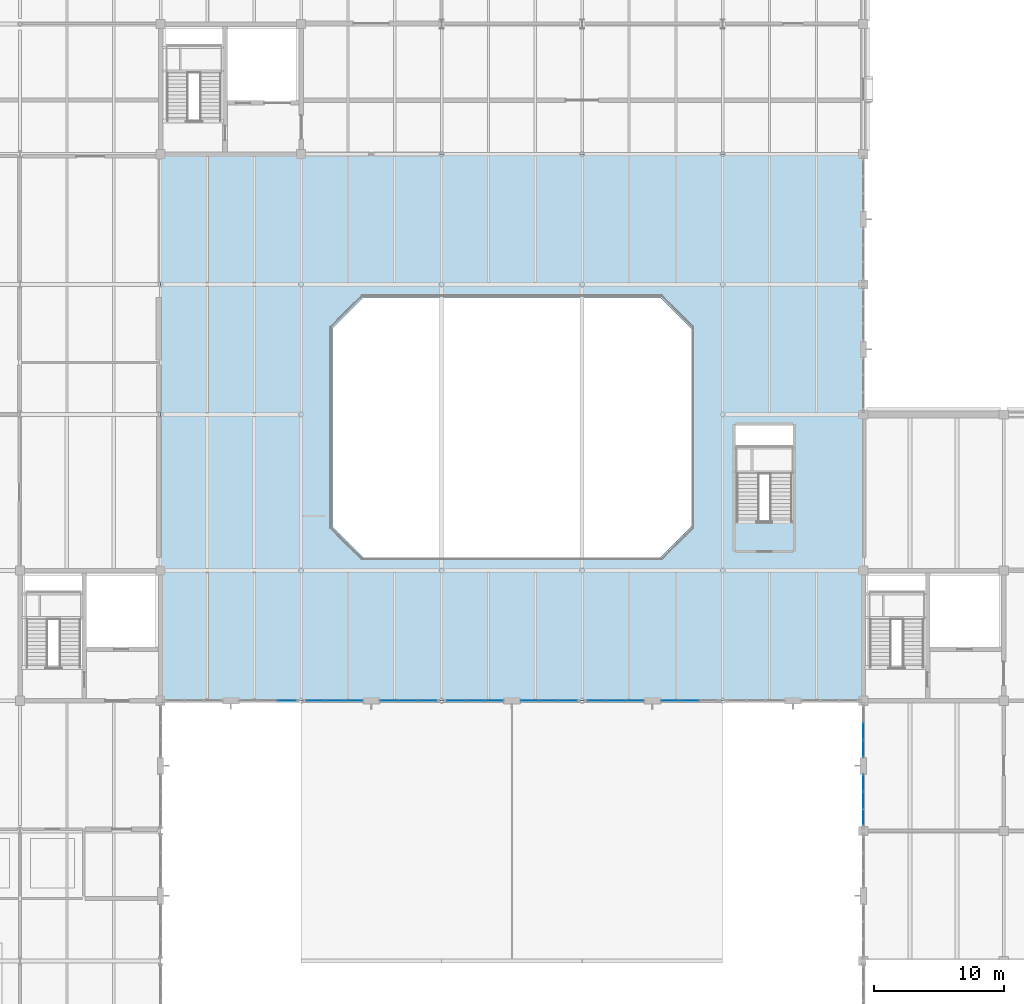
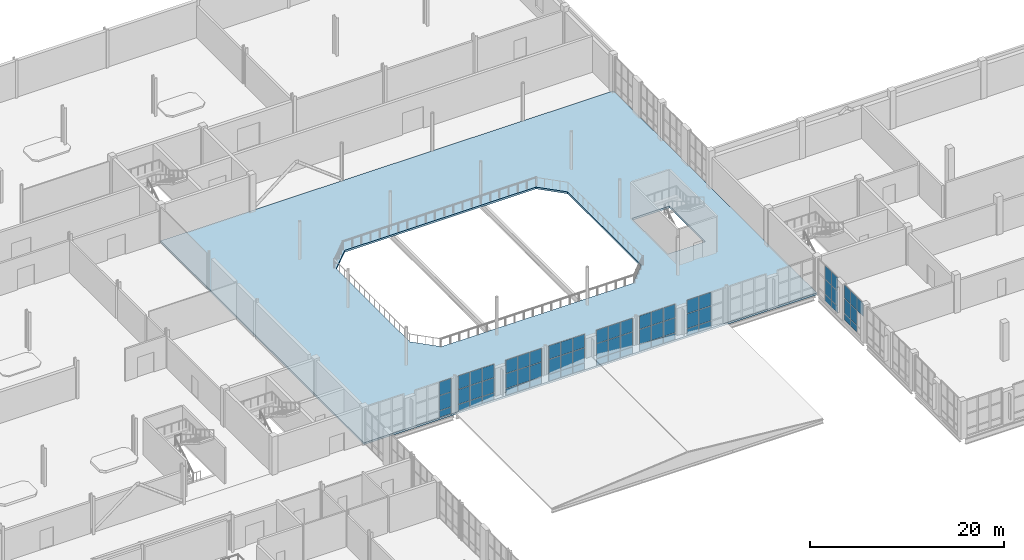
# One storey, part 59 of 92: 67 plates, 1 slab, 9 elements without a shape of their own.
"""IFC4 building model written with IfcOpenShell, lengths in metres."""

import ifcopenshell
import ifcopenshell.guid

model = None  # the IFC model being written
_history = None  # IfcOwnerHistory: only IFC2X3 demands one
_inside = {}  # id of a spatial element -> (the spatial element, [elements in it])
_under = {}  # id of a project, library or spatial element -> (it, [spatial elements below it])
_declared = {}  # id of a project -> (the project, [libraries it declares])
_typed = {}  # id of a type object -> (the type object, [elements of that type])
_made_of = {}  # id of a material, layer set ... -> (it, [elements and type objects made of it])


def new_model(schema):
    """Start an empty IFC model of exactly this schema.

    Asked for "IFC4X3", IfcOpenShell would pick the latest addendum, in which some entities
    have other attributes; the version numbers below select the first issue.
    IFC2X3 requires an IfcOwnerHistory on every rooted entity: one is made here for all.
    """
    global model, _history
    if schema == "IFC4X3":
        model = ifcopenshell.file(schema_version=(4, 3, 0, 0))
    else:
        model = ifcopenshell.file(schema=schema)
    _inside.clear()
    _under.clear()
    _declared.clear()
    _typed.clear()
    _made_of.clear()
    _history = None
    if model.schema == "IFC2X3":
        org = make("IfcOrganization", Name="unknown")
        user = make(
            "IfcPersonAndOrganization",
            ThePerson=make("IfcPerson", FamilyName="unknown"),
            TheOrganization=org,
        )
        app = make(
            "IfcApplication",
            ApplicationDeveloper=org,
            Version="unknown",
            ApplicationFullName="unknown",
            ApplicationIdentifier="unknown",
        )
        _history = make(
            "IfcOwnerHistory",
            OwningUser=user,
            OwningApplication=app,
            ChangeAction="ADDED",
            CreationDate=0,
        )
    return model


def make(cls, **values):
    """One entity of the class cls with the attributes given. An attribute that is None is left unset."""
    return model.create_entity(
        cls, **{name: value for name, value in values.items() if value is not None}
    )


def rooted(cls, **values):
    """An entity with a GlobalId (a new one), such as an element, a storey or a relation."""
    return make(cls, GlobalId=ifcopenshell.guid.new(), OwnerHistory=_history, **values)


def si_unit(unit_type, name, prefix=None):
    """IfcSIUnit, for example si_unit("LENGTHUNIT", "METRE", prefix="MILLI")."""
    return make("IfcSIUnit", UnitType=unit_type, Prefix=prefix, Name=name)


def assignment(units):
    """IfcUnitAssignment: the units of a project."""
    return None if units is None else make("IfcUnitAssignment", Units=units)


def point(xyz):
    """IfcCartesianPoint."""
    return None if xyz is None else make("IfcCartesianPoint", Coordinates=xyz)


def direction(xyz):
    """IfcDirection."""
    return None if xyz is None else make("IfcDirection", DirectionRatios=xyz)


def frame(location, z_axis=None, x_axis=None):
    """IfcAxis2Placement3D, a coordinate frame: its origin and axes. An axis left out is left unset."""
    return make(
        "IfcAxis2Placement3D",
        Location=point(location),
        Axis=direction(z_axis),
        RefDirection=direction(x_axis),
    )


def frame_2d(location, x_axis=None):
    """IfcAxis2Placement2D, a coordinate frame in the plane: its origin and x axis."""
    return make(
        "IfcAxis2Placement2D", Location=point(location), RefDirection=direction(x_axis)
    )


def origin():
    """The frame at (0, 0, 0) with its axes left unset."""
    return frame((0.0, 0.0, 0.0))


def origin_2d():
    """The frame at (0, 0) in the plane with its x axis left unset."""
    return frame_2d((0.0, 0.0))


def place(relative_to, where):
    """IfcLocalPlacement: puts the frame where relative to a parent placement (None: the world)."""
    return make(
        "IfcLocalPlacement", PlacementRelTo=relative_to, RelativePlacement=where
    )


def context(
    kind, dimensions, precision=None, world=None, true_north=None, identifier=None
):
    """IfcGeometricRepresentationContext, for example the 3D "Model" context."""
    return make(
        "IfcGeometricRepresentationContext",
        ContextIdentifier=identifier,
        ContextType=kind,
        CoordinateSpaceDimension=dimensions,
        Precision=precision,
        WorldCoordinateSystem=world,
        TrueNorth=true_north,
    )


def subcontext(parent, identifier, kind, view, scale=None):
    """IfcGeometricRepresentationSubContext, for example "Body" below "Model"."""
    return make(
        "IfcGeometricRepresentationSubContext",
        ContextIdentifier=identifier,
        ContextType=kind,
        ParentContext=parent,
        TargetScale=scale,
        TargetView=view,
    )


def project(units=None, contexts=None):
    """IfcProject with its units and contexts."""
    return rooted(
        "IfcProject",
        Name="project",
        RepresentationContexts=contexts,
        UnitsInContext=assignment(units),
    )


def spatial(cls, under=None, at=None, **own):
    """A site, building, storey or space (cls), placed at a placement, below another one or the project."""
    s = rooted(cls, ObjectPlacement=at, **own)
    if under is not None:
        _under.setdefault(under.id(), (under, []))[1].append(s)
    return s


def polyline(points):
    """IfcPolyline through the points."""
    return make("IfcPolyline", Points=[point(p) for p in points])


def profile(cls, at=None, kind="AREA", **sizes):
    """A parametric profile (cls). Its sizes go by their IFC names, for example OverallWidth=200.0."""
    return make(cls, ProfileType=kind, Position=at, **sizes)


def rectangle(**sizes):
    """IfcRectangleProfileDef."""
    return profile("IfcRectangleProfileDef", **sizes)


def outline(outer, holes=None, kind="AREA"):
    """IfcArbitraryClosedProfileDef: a profile drawn as a closed curve; with holes, ...WithVoids."""
    if holes is None:
        return make("IfcArbitraryClosedProfileDef", ProfileType=kind, OuterCurve=outer)
    return make(
        "IfcArbitraryProfileDefWithVoids",
        ProfileType=kind,
        OuterCurve=outer,
        InnerCurves=holes,
    )


def extrude(swept, where, along, depth):
    """IfcExtrudedAreaSolid: the profile swept, set in the frame where, extruded along a direction by depth."""
    return make(
        "IfcExtrudedAreaSolid",
        SweptArea=swept,
        Position=where,
        ExtrudedDirection=direction(along),
        Depth=depth,
    )


def shape(context_of_items, identifier, shape_type, items):
    """IfcShapeRepresentation: the items that make up one representation, for example the "Body"."""
    return make(
        "IfcShapeRepresentation",
        ContextOfItems=context_of_items,
        RepresentationIdentifier=identifier,
        RepresentationType=shape_type,
        Items=items,
    )


def material(Name=None, Category=None):
    """IfcMaterial."""
    return make("IfcMaterial", Name=Name, Category=Category)


def layer(
    of_material, thickness, ventilated=None, Name=None, Category=None, Priority=None
):
    """IfcMaterialLayer: one layer of a wall or slab, of a material (None: an air gap)."""
    return make(
        "IfcMaterialLayer",
        Material=of_material,
        LayerThickness=thickness,
        IsVentilated=ventilated,
        Name=Name,
        Category=Category,
        Priority=Priority,
    )


def layer_set(layers, Name=None):
    """IfcMaterialLayerSet."""
    return make("IfcMaterialLayerSet", MaterialLayers=layers, LayerSetName=Name)


def made_of(thing, what):
    """Note that an element or type object is made of a material, layer set ...; save() writes the relation."""
    if what is not None:
        _made_of.setdefault(what.id(), (what, []))[1].append(thing)
    return thing


def type_object(cls, material=None, **own):
    """A type object (cls), such as IfcWallType, which elements share."""
    return made_of(rooted(cls, **own), material)


def element(
    cls,
    number,
    at=None,
    inside=None,
    cuts=None,
    type_object=None,
    material=None,
    context=None,
    identifier="Body",
    shape_type=None,
    held_by="IfcProductDefinitionShape",
    body=None,
    shapes=None,
    **own,
):
    """One element of the class cls, such as IfcWall. Its Tag is "e" and its number.

    at: its placement. inside: the storey or other place that contains it. cuts: it is an
    opening in that element (IfcRelVoidsElement). A single representation is given by context,
    identifier, shape_type and body (its items); several are given by shapes. held_by: the class
    of the entity that holds the representations. save() writes the other relations.
    """
    e = rooted(cls, Tag="e%d" % number, ObjectPlacement=at, **own)
    if body is not None:
        shapes = [shape(context, identifier, shape_type, body)]
    if shapes is not None:
        e.Representation = make(held_by, Representations=shapes)
    if inside is not None:
        _inside.setdefault(inside.id(), (inside, []))[1].append(e)
    if cuts is not None:
        rooted(
            "IfcRelVoidsElement", RelatingBuildingElement=cuts, RelatedOpeningElement=e
        )
    if type_object is not None:
        _typed.setdefault(type_object.id(), (type_object, []))[1].append(e)
    return made_of(e, material)


def aggregate(whole, parts):
    """IfcRelAggregates: a whole, such as a stair, and the parts it consists of."""
    return rooted("IfcRelAggregates", RelatingObject=whole, RelatedObjects=parts)


def save(model, path):
    """Write the relations noted so far, then the file.

    IfcRelAggregates (storeys below a building ...), IfcRelContainedInSpatialStructure (elements
    in a storey), IfcRelDefinesByType, IfcRelAssociatesMaterial and IfcRelDeclares: one each for
    every whole, place, type object, material and project.
    """
    for whole, parts in _under.values():
        aggregate(whole, parts)
    for where, things in _inside.values():
        rooted(
            "IfcRelContainedInSpatialStructure",
            RelatedElements=things,
            RelatingStructure=where,
        )
    for kind, things in _typed.values():
        rooted("IfcRelDefinesByType", RelatedObjects=things, RelatingType=kind)
    for what, things in _made_of.values():
        rooted("IfcRelAssociatesMaterial", RelatedObjects=things, RelatingMaterial=what)
    for by, libraries in _declared.values():
        rooted("IfcRelDeclares", RelatingContext=by, RelatedDefinitions=libraries)
    model.write(path)


model = new_model("IFC4")

# Units and contexts
model_context = context("Model", 3, precision=1e-05, world=origin(), true_north=direction((0.0, 1.0)))
body_context = subcontext(model_context, "Body", "Model", "MODEL_VIEW")
ifc_project = project(units=[si_unit("LENGTHUNIT", "METRE"), si_unit("AREAUNIT", "SQUARE_METRE"), si_unit("VOLUMEUNIT", "CUBIC_METRE"), si_unit("PLANEANGLEUNIT", "RADIAN"), si_unit("MASSUNIT", "GRAM", prefix="KILO")], contexts=[model_context])

# Site, building, storey
site_placement = place(None, origin())
site = spatial("IfcSite", under=ifc_project, at=site_placement, CompositionType="ELEMENT")
building_placement = place(site_placement, origin())
building = spatial("IfcBuilding", under=site, at=building_placement, Name="Tasgan Crest Museum", CompositionType="ELEMENT")
storey_placement = place(building_placement, frame((0.0, 0.0, 4.800048828125)))
storey = spatial("IfcBuildingStorey", under=building, at=storey_placement, Name="L01", CompositionType="ELEMENT", Elevation=4.800048828125)

# Curtain wall, plate
ifc_material_1 = material(Name="Triple-Glazed Aluminium Curtain Wall", Category="aluminium")
ifc_layer_1 = layer(ifc_material_1, 0.179931640625, Name="CW-DRUM-X-48")
ifc_layer_set_1 = layer_set([ifc_layer_1], Name="Triple-Glazed Aluminium Curtain Wall")
curtain_wall_type_1 = type_object("IfcCurtainWallType", Name="CW-DRUM-X-48", PredefinedType="NOTDEFINED", material=ifc_layer_set_1)
curtain_wall_1_placement = place(storey_placement, origin())
curtain_wall_1 = element("IfcCurtainWall", 1, at=curtain_wall_1_placement, inside=storey, type_object=curtain_wall_type_1, Name="Curtain wall L01 028", PredefinedType="NOTDEFINED")
ifc_material_2 = material(Name="Insulated Spandrel Glass", Category="glass")
ifc_layer_2 = layer(ifc_material_2, 0.052001953125, Name="CW-PANEL-SPANDREL")
ifc_layer_set_2 = layer_set([ifc_layer_2], Name="Insulated Spandrel Glass")
plate_type_1 = type_object("IfcPlateType", Name="CW-PANEL-SPANDREL", PredefinedType="CURTAIN_PANEL", material=ifc_layer_set_2)
plate_1_placement = place(storey_placement, frame((63.688232421875, 40.0, 0.059814453125), z_axis=(0.0, 0.0, 1.0), x_axis=(1.0, 0.0, 0.0)))
plate_1 = element("IfcPlate", 2, at=plate_1_placement, type_object=plate_type_1, Name="CW03 panel 3.1", PredefinedType="CURTAIN_PANEL", context=body_context, shape_type="SweptSolid", body=[
    extrude(rectangle(XDim=1.373291015625, YDim=0.028076171875, at=origin_2d()), origin(), (0.0, 0.0, 1.0), 0.81005859375),
])

# Curtain wall, plates
curtain_wall_2_placement = place(storey_placement, origin())
curtain_wall_2 = element("IfcCurtainWall", 3, at=curtain_wall_2_placement, inside=storey, type_object=curtain_wall_type_1, Name="Curtain wall L01 029", PredefinedType="NOTDEFINED")
plate_2_placement = place(storey_placement, frame((65.91162109375, 40.0, 0.059814453125), z_axis=(0.0, 0.0, 1.0), x_axis=(1.0, 0.0, 0.0)))
plate_2 = element("IfcPlate", 4, at=plate_2_placement, type_object=plate_type_1, Name="CW03 panel 1.1", PredefinedType="CURTAIN_PANEL", context=body_context, shape_type="SweptSolid", body=[
    extrude(rectangle(XDim=1.373291015625, YDim=0.028076171875, at=origin_2d()), origin(), (0.0, 0.0, 1.0), 0.81005859375),
])
plate_3_placement = place(storey_placement, frame((67.360107421875, 40.0, 0.059814453125), z_axis=(0.0, 0.0, 1.0), x_axis=(1.0, 0.0, 0.0)))
plate_3 = element("IfcPlate", 5, at=plate_3_placement, type_object=plate_type_1, Name="CW03 panel 2.1", PredefinedType="CURTAIN_PANEL", context=body_context, shape_type="SweptSolid", body=[
    extrude(rectangle(XDim=1.4033203125, YDim=0.028076171875, at=origin_2d()), origin(), (0.0, 0.0, 1.0), 0.81005859375),
])
plate_4_placement = place(storey_placement, frame((68.808349609375, 40.0, 0.059814453125), z_axis=(0.0, 0.0, 1.0), x_axis=(1.0, 0.0, 0.0)))
plate_4 = element("IfcPlate", 6, at=plate_4_placement, type_object=plate_type_1, Name="CW03 panel 3.1", PredefinedType="CURTAIN_PANEL", context=body_context, shape_type="SweptSolid", body=[
    extrude(rectangle(XDim=1.373291015625, YDim=0.028076171875, at=origin_2d()), origin(), (0.0, 0.0, 1.0), 0.81005859375),
])

curtain_wall_3_placement = place(storey_placement, origin())
curtain_wall_3 = element("IfcCurtainWall", 7, at=curtain_wall_3_placement, inside=storey, type_object=curtain_wall_type_1, Name="Curtain wall L01 030", PredefinedType="NOTDEFINED")
plate_5_placement = place(storey_placement, frame((71.591552734375, 40.0, 0.059814453125), z_axis=(0.0, 0.0, 1.0), x_axis=(1.0, 0.0, 0.0)))
plate_5 = element("IfcPlate", 8, at=plate_5_placement, type_object=plate_type_1, Name="CW03 panel 1.1", PredefinedType="CURTAIN_PANEL", context=body_context, shape_type="SweptSolid", body=[
    extrude(rectangle(XDim=1.373291015625, YDim=0.028076171875, at=origin_2d()), origin(), (0.0, 0.0, 1.0), 0.81005859375),
])
plate_6_placement = place(storey_placement, frame((73.0400390625, 40.0, 0.059814453125), z_axis=(0.0, 0.0, 1.0), x_axis=(1.0, 0.0, 0.0)))
plate_6 = element("IfcPlate", 9, at=plate_6_placement, type_object=plate_type_1, Name="CW03 panel 2.1", PredefinedType="CURTAIN_PANEL", context=body_context, shape_type="SweptSolid", body=[
    extrude(rectangle(XDim=1.4033203125, YDim=0.028076171875, at=origin_2d()), origin(), (0.0, 0.0, 1.0), 0.81005859375),
])
plate_7_placement = place(storey_placement, frame((74.48828125, 40.0, 0.059814453125), z_axis=(0.0, 0.0, 1.0), x_axis=(1.0, 0.0, 0.0)))
plate_7 = element("IfcPlate", 10, at=plate_7_placement, type_object=plate_type_1, Name="CW03 panel 3.1", PredefinedType="CURTAIN_PANEL", context=body_context, shape_type="SweptSolid", body=[
    extrude(rectangle(XDim=1.373291015625, YDim=0.028076171875, at=origin_2d()), origin(), (0.0, 0.0, 1.0), 0.81005859375),
])

curtain_wall_4_placement = place(storey_placement, origin())
curtain_wall_4 = element("IfcCurtainWall", 11, at=curtain_wall_4_placement, inside=storey, type_object=curtain_wall_type_1, Name="Curtain wall L01 031", PredefinedType="NOTDEFINED")
plate_8_placement = place(storey_placement, frame((76.711669921875, 40.0, 0.059814453125), z_axis=(0.0, 0.0, 1.0), x_axis=(1.0, 0.0, 0.0)))
plate_8 = element("IfcPlate", 12, at=plate_8_placement, type_object=plate_type_1, Name="CW03 panel 1.1", PredefinedType="CURTAIN_PANEL", context=body_context, shape_type="SweptSolid", body=[
    extrude(rectangle(XDim=1.373291015625, YDim=0.028076171875, at=origin_2d()), origin(), (0.0, 0.0, 1.0), 0.81005859375),
])
plate_9_placement = place(storey_placement, frame((78.159912109375, 40.0, 0.059814453125), z_axis=(0.0, 0.0, 1.0), x_axis=(1.0, 0.0, 0.0)))
plate_9 = element("IfcPlate", 13, at=plate_9_placement, type_object=plate_type_1, Name="CW03 panel 2.1", PredefinedType="CURTAIN_PANEL", context=body_context, shape_type="SweptSolid", body=[
    extrude(rectangle(XDim=1.4033203125, YDim=0.028076171875, at=origin_2d()), origin(), (0.0, 0.0, 1.0), 0.81005859375),
])
plate_10_placement = place(storey_placement, frame((79.6083984375, 40.0, 0.059814453125), z_axis=(0.0, 0.0, 1.0), x_axis=(1.0, 0.0, 0.0)))
plate_10 = element("IfcPlate", 14, at=plate_10_placement, type_object=plate_type_1, Name="CW03 panel 3.1", PredefinedType="CURTAIN_PANEL", context=body_context, shape_type="SweptSolid", body=[
    extrude(rectangle(XDim=1.373291015625, YDim=0.028076171875, at=origin_2d()), origin(), (0.0, 0.0, 1.0), 0.81005859375),
])

curtain_wall_5_placement = place(storey_placement, origin())
curtain_wall_5 = element("IfcCurtainWall", 15, at=curtain_wall_5_placement, inside=storey, type_object=curtain_wall_type_1, Name="Curtain wall L01 032", PredefinedType="NOTDEFINED")
plate_11_placement = place(storey_placement, frame((82.3916015625, 40.0, 0.059814453125), z_axis=(0.0, 0.0, 1.0), x_axis=(1.0, 0.0, 0.0)))
plate_11 = element("IfcPlate", 16, at=plate_11_placement, type_object=plate_type_1, Name="CW03 panel 1.1", PredefinedType="CURTAIN_PANEL", context=body_context, shape_type="SweptSolid", body=[
    extrude(rectangle(XDim=1.373291015625, YDim=0.028076171875, at=origin_2d()), origin(), (0.0, 0.0, 1.0), 0.81005859375),
])
plate_12_placement = place(storey_placement, frame((83.840087890625, 40.0, 0.059814453125), z_axis=(0.0, 0.0, 1.0), x_axis=(1.0, 0.0, 0.0)))
plate_12 = element("IfcPlate", 17, at=plate_12_placement, type_object=plate_type_1, Name="CW03 panel 2.1", PredefinedType="CURTAIN_PANEL", context=body_context, shape_type="SweptSolid", body=[
    extrude(rectangle(XDim=1.4033203125, YDim=0.028076171875, at=origin_2d()), origin(), (0.0, 0.0, 1.0), 0.81005859375),
])
plate_13_placement = place(storey_placement, frame((85.288330078125, 40.0, 0.059814453125), z_axis=(0.0, 0.0, 1.0), x_axis=(1.0, 0.0, 0.0)))
plate_13 = element("IfcPlate", 18, at=plate_13_placement, type_object=plate_type_1, Name="CW03 panel 3.1", PredefinedType="CURTAIN_PANEL", context=body_context, shape_type="SweptSolid", body=[
    extrude(rectangle(XDim=1.373291015625, YDim=0.028076171875, at=origin_2d()), origin(), (0.0, 0.0, 1.0), 0.81005859375),
])

curtain_wall_6_placement = place(storey_placement, origin())
curtain_wall_6 = element("IfcCurtainWall", 19, at=curtain_wall_6_placement, inside=storey, type_object=curtain_wall_type_1, Name="Curtain wall L01 033", PredefinedType="NOTDEFINED")
plate_14_placement = place(storey_placement, frame((87.51171875, 40.0, 0.059814453125), z_axis=(0.0, 0.0, 1.0), x_axis=(1.0, 0.0, 0.0)))
plate_14 = element("IfcPlate", 20, at=plate_14_placement, type_object=plate_type_1, Name="CW03 panel 1.1", PredefinedType="CURTAIN_PANEL", context=body_context, shape_type="SweptSolid", body=[
    extrude(rectangle(XDim=1.373291015625, YDim=0.028076171875, at=origin_2d()), origin(), (0.0, 0.0, 1.0), 0.81005859375),
])
plate_15_placement = place(storey_placement, frame((88.9599609375, 40.0, 0.059814453125), z_axis=(0.0, 0.0, 1.0), x_axis=(1.0, 0.0, 0.0)))
plate_15 = element("IfcPlate", 21, at=plate_15_placement, type_object=plate_type_1, Name="CW03 panel 2.1", PredefinedType="CURTAIN_PANEL", context=body_context, shape_type="SweptSolid", body=[
    extrude(rectangle(XDim=1.4033203125, YDim=0.028076171875, at=origin_2d()), origin(), (0.0, 0.0, 1.0), 0.81005859375),
])
plate_16_placement = place(storey_placement, frame((90.408447265625, 40.0, 0.059814453125), z_axis=(0.0, 0.0, 1.0), x_axis=(1.0, 0.0, 0.0)))
plate_16 = element("IfcPlate", 22, at=plate_16_placement, type_object=plate_type_1, Name="CW03 panel 3.1", PredefinedType="CURTAIN_PANEL", context=body_context, shape_type="SweptSolid", body=[
    extrude(rectangle(XDim=1.373291015625, YDim=0.028076171875, at=origin_2d()), origin(), (0.0, 0.0, 1.0), 0.81005859375),
])

curtain_wall_7_placement = place(storey_placement, origin())
curtain_wall_7 = element("IfcCurtainWall", 23, at=curtain_wall_7_placement, inside=storey, type_object=curtain_wall_type_1, Name="Curtain wall L01 034", PredefinedType="NOTDEFINED")
plate_17_placement = place(storey_placement, frame((93.191650390625, 40.0, 0.059814453125), z_axis=(0.0, 0.0, 1.0), x_axis=(1.0, 0.0, 0.0)))
plate_17 = element("IfcPlate", 24, at=plate_17_placement, type_object=plate_type_1, Name="CW03 panel 1.1", PredefinedType="CURTAIN_PANEL", context=body_context, shape_type="SweptSolid", body=[
    extrude(rectangle(XDim=1.373291015625, YDim=0.028076171875, at=origin_2d()), origin(), (0.0, 0.0, 1.0), 0.81005859375),
])
plate_18_placement = place(storey_placement, frame((94.639892578125, 40.0, 0.059814453125), z_axis=(0.0, 0.0, 1.0), x_axis=(1.0, 0.0, 0.0)))
plate_18 = element("IfcPlate", 25, at=plate_18_placement, type_object=plate_type_1, Name="CW03 panel 2.1", PredefinedType="CURTAIN_PANEL", context=body_context, shape_type="SweptSolid", body=[
    extrude(rectangle(XDim=1.4033203125, YDim=0.028076171875, at=origin_2d()), origin(), (0.0, 0.0, 1.0), 0.81005859375),
])

ifc_material_3 = material(Name="Triple-Glazed Aluminium Curtain Wall", Category="aluminium")
ifc_layer_3 = layer(ifc_material_3, 0.179931640625, Name="CW-PORCH-Y")
ifc_layer_set_3 = layer_set([ifc_layer_3], Name="Triple-Glazed Aluminium Curtain Wall")
curtain_wall_type_2 = type_object("IfcCurtainWallType", Name="CW-PORCH-Y", PredefinedType="NOTDEFINED", material=ifc_layer_set_3)
curtain_wall_8_placement = place(storey_placement, origin())
curtain_wall_8 = element("IfcCurtainWall", 26, at=curtain_wall_8_placement, inside=storey, type_object=curtain_wall_type_2, Name="Curtain wall L01 037", PredefinedType="NOTDEFINED")
plate_19_placement = place(storey_placement, frame((108.0, 37.639892578125, 0.059814453125), z_axis=(0.0, 0.0, 1.0), x_axis=(0.0, -1.0, 0.0)))
plate_19 = element("IfcPlate", 27, at=plate_19_placement, type_object=plate_type_1, Name="CW02 panel 2.1", PredefinedType="CURTAIN_PANEL", context=body_context, shape_type="SweptSolid", body=[
    extrude(rectangle(XDim=1.27001953125, YDim=0.028076171875, at=origin_2d()), origin(), (0.0, 0.0, 1.0), 0.81005859375),
])
plate_20_placement = place(storey_placement, frame((108.0, 36.324951171875, 0.059814453125), z_axis=(0.0, 0.0, 1.0), x_axis=(0.0, -1.0, 0.0)))
plate_20 = element("IfcPlate", 28, at=plate_20_placement, type_object=plate_type_1, Name="CW02 panel 3.1", PredefinedType="CURTAIN_PANEL", context=body_context, shape_type="SweptSolid", body=[
    extrude(rectangle(XDim=1.239990234375, YDim=0.028076171875, at=origin_2d()), origin(), (0.0, 0.0, 1.0), 0.81005859375),
])

curtain_wall_9_placement = place(storey_placement, origin())
curtain_wall_9 = element("IfcCurtainWall", 29, at=curtain_wall_9_placement, inside=storey, type_object=curtain_wall_type_2, Name="Curtain wall L01 038", PredefinedType="NOTDEFINED")
plate_21_placement = place(storey_placement, frame((108.0, 33.675048828125, 0.059814453125), z_axis=(0.0, 0.0, 1.0), x_axis=(0.0, -1.0, 0.0)))
plate_21 = element("IfcPlate", 30, at=plate_21_placement, type_object=plate_type_1, Name="CW02 panel 1.1", PredefinedType="CURTAIN_PANEL", context=body_context, shape_type="SweptSolid", body=[
    extrude(rectangle(XDim=1.239990234375, YDim=0.028076171875, at=origin_2d()), origin(), (0.0, 0.0, 1.0), 0.81005859375),
])
plate_22_placement = place(storey_placement, frame((108.0, 32.360107421875, 0.059814453125), z_axis=(0.0, 0.0, 1.0), x_axis=(0.0, -1.0, 0.0)))
plate_22 = element("IfcPlate", 31, at=plate_22_placement, type_object=plate_type_1, Name="CW02 panel 2.1", PredefinedType="CURTAIN_PANEL", context=body_context, shape_type="SweptSolid", body=[
    extrude(rectangle(XDim=1.27001953125, YDim=0.028076171875, at=origin_2d()), origin(), (0.0, 0.0, 1.0), 0.81005859375),
])

# Plate
ifc_material_4 = material(Name="Low-E Triple Glazing", Category="glass")
ifc_layer_4 = layer(ifc_material_4, 0.0439453125, Name="CW-PANEL-TRIPLE")
ifc_layer_set_4 = layer_set([ifc_layer_4], Name="Low-E Triple Glazing")
plate_type_2 = type_object("IfcPlateType", Name="CW-PANEL-TRIPLE", PredefinedType="CURTAIN_PANEL", material=ifc_layer_set_4)
plate_23_placement = place(storey_placement, frame((63.688232421875, 40.0, 0.9296875), z_axis=(0.0, 0.0, 1.0), x_axis=(1.0, 0.0, 0.0)))
plate_23 = element("IfcPlate", 32, at=plate_23_placement, type_object=plate_type_2, Name="CW03 panel 3.2", PredefinedType="CURTAIN_PANEL", context=body_context, shape_type="SweptSolid", body=[
    extrude(rectangle(XDim=1.373291015625, YDim=0.028076171875, at=origin_2d()), origin(), (0.0, 0.0, 1.0), 1.840087890625),
])

plate_24_placement = place(storey_placement, frame((63.688232421875, 40.0, 2.830078125), z_axis=(0.0, 0.0, 1.0), x_axis=(1.0, 0.0, 0.0)))
plate_24 = element("IfcPlate", 33, at=plate_24_placement, type_object=plate_type_2, Name="CW03 panel 3.3", PredefinedType="CURTAIN_PANEL", context=body_context, shape_type="SweptSolid", body=[
    extrude(rectangle(XDim=1.373291015625, YDim=0.028076171875, at=origin_2d()), origin(), (0.0, 0.0, 1.0), 1.669921875),
])

aggregate(curtain_wall_1, [plate_1, plate_23, plate_24])

plate_25_placement = place(storey_placement, frame((65.91162109375, 40.0, 0.9296875), z_axis=(0.0, 0.0, 1.0), x_axis=(1.0, 0.0, 0.0)))
plate_25 = element("IfcPlate", 34, at=plate_25_placement, type_object=plate_type_2, Name="CW03 panel 1.2", PredefinedType="CURTAIN_PANEL", context=body_context, shape_type="SweptSolid", body=[
    extrude(rectangle(XDim=1.373291015625, YDim=0.028076171875, at=origin_2d()), origin(), (0.0, 0.0, 1.0), 1.840087890625),
])

plate_26_placement = place(storey_placement, frame((65.91162109375, 40.0, 2.830078125), z_axis=(0.0, 0.0, 1.0), x_axis=(1.0, 0.0, 0.0)))
plate_26 = element("IfcPlate", 35, at=plate_26_placement, type_object=plate_type_2, Name="CW03 panel 1.3", PredefinedType="CURTAIN_PANEL", context=body_context, shape_type="SweptSolid", body=[
    extrude(rectangle(XDim=1.373291015625, YDim=0.028076171875, at=origin_2d()), origin(), (0.0, 0.0, 1.0), 1.669921875),
])

plate_27_placement = place(storey_placement, frame((67.360107421875, 40.0, 0.9296875), z_axis=(0.0, 0.0, 1.0), x_axis=(1.0, 0.0, 0.0)))
plate_27 = element("IfcPlate", 36, at=plate_27_placement, type_object=plate_type_2, Name="CW03 panel 2.2", PredefinedType="CURTAIN_PANEL", context=body_context, shape_type="SweptSolid", body=[
    extrude(rectangle(XDim=1.4033203125, YDim=0.028076171875, at=origin_2d()), origin(), (0.0, 0.0, 1.0), 1.840087890625),
])

plate_28_placement = place(storey_placement, frame((67.360107421875, 40.0, 2.830078125), z_axis=(0.0, 0.0, 1.0), x_axis=(1.0, 0.0, 0.0)))
plate_28 = element("IfcPlate", 37, at=plate_28_placement, type_object=plate_type_2, Name="CW03 panel 2.3", PredefinedType="CURTAIN_PANEL", context=body_context, shape_type="SweptSolid", body=[
    extrude(rectangle(XDim=1.4033203125, YDim=0.028076171875, at=origin_2d()), origin(), (0.0, 0.0, 1.0), 1.669921875),
])

plate_29_placement = place(storey_placement, frame((68.808349609375, 40.0, 0.9296875), z_axis=(0.0, 0.0, 1.0), x_axis=(1.0, 0.0, 0.0)))
plate_29 = element("IfcPlate", 38, at=plate_29_placement, type_object=plate_type_2, Name="CW03 panel 3.2", PredefinedType="CURTAIN_PANEL", context=body_context, shape_type="SweptSolid", body=[
    extrude(rectangle(XDim=1.373291015625, YDim=0.028076171875, at=origin_2d()), origin(), (0.0, 0.0, 1.0), 1.840087890625),
])

plate_30_placement = place(storey_placement, frame((68.808349609375, 40.0, 2.830078125), z_axis=(0.0, 0.0, 1.0), x_axis=(1.0, 0.0, 0.0)))
plate_30 = element("IfcPlate", 39, at=plate_30_placement, type_object=plate_type_2, Name="CW03 panel 3.3", PredefinedType="CURTAIN_PANEL", context=body_context, shape_type="SweptSolid", body=[
    extrude(rectangle(XDim=1.373291015625, YDim=0.028076171875, at=origin_2d()), origin(), (0.0, 0.0, 1.0), 1.669921875),
])

aggregate(curtain_wall_2, [plate_2, plate_25, plate_26, plate_3, plate_27, plate_28, plate_4, plate_29, plate_30])

plate_31_placement = place(storey_placement, frame((71.591552734375, 40.0, 0.9296875), z_axis=(0.0, 0.0, 1.0), x_axis=(1.0, 0.0, 0.0)))
plate_31 = element("IfcPlate", 40, at=plate_31_placement, type_object=plate_type_2, Name="CW03 panel 1.2", PredefinedType="CURTAIN_PANEL", context=body_context, shape_type="SweptSolid", body=[
    extrude(rectangle(XDim=1.373291015625, YDim=0.028076171875, at=origin_2d()), origin(), (0.0, 0.0, 1.0), 1.840087890625),
])

plate_32_placement = place(storey_placement, frame((71.591552734375, 40.0, 2.830078125), z_axis=(0.0, 0.0, 1.0), x_axis=(1.0, 0.0, 0.0)))
plate_32 = element("IfcPlate", 41, at=plate_32_placement, type_object=plate_type_2, Name="CW03 panel 1.3", PredefinedType="CURTAIN_PANEL", context=body_context, shape_type="SweptSolid", body=[
    extrude(rectangle(XDim=1.373291015625, YDim=0.028076171875, at=origin_2d()), origin(), (0.0, 0.0, 1.0), 1.669921875),
])

plate_33_placement = place(storey_placement, frame((73.0400390625, 40.0, 0.9296875), z_axis=(0.0, 0.0, 1.0), x_axis=(1.0, 0.0, 0.0)))
plate_33 = element("IfcPlate", 42, at=plate_33_placement, type_object=plate_type_2, Name="CW03 panel 2.2", PredefinedType="CURTAIN_PANEL", context=body_context, shape_type="SweptSolid", body=[
    extrude(rectangle(XDim=1.4033203125, YDim=0.028076171875, at=origin_2d()), origin(), (0.0, 0.0, 1.0), 1.840087890625),
])

plate_34_placement = place(storey_placement, frame((73.0400390625, 40.0, 2.830078125), z_axis=(0.0, 0.0, 1.0), x_axis=(1.0, 0.0, 0.0)))
plate_34 = element("IfcPlate", 43, at=plate_34_placement, type_object=plate_type_2, Name="CW03 panel 2.3", PredefinedType="CURTAIN_PANEL", context=body_context, shape_type="SweptSolid", body=[
    extrude(rectangle(XDim=1.4033203125, YDim=0.028076171875, at=origin_2d()), origin(), (0.0, 0.0, 1.0), 1.669921875),
])

plate_35_placement = place(storey_placement, frame((74.48828125, 40.0, 0.9296875), z_axis=(0.0, 0.0, 1.0), x_axis=(1.0, 0.0, 0.0)))
plate_35 = element("IfcPlate", 44, at=plate_35_placement, type_object=plate_type_2, Name="CW03 panel 3.2", PredefinedType="CURTAIN_PANEL", context=body_context, shape_type="SweptSolid", body=[
    extrude(rectangle(XDim=1.373291015625, YDim=0.028076171875, at=origin_2d()), origin(), (0.0, 0.0, 1.0), 1.840087890625),
])

plate_36_placement = place(storey_placement, frame((74.48828125, 40.0, 2.830078125), z_axis=(0.0, 0.0, 1.0), x_axis=(1.0, 0.0, 0.0)))
plate_36 = element("IfcPlate", 45, at=plate_36_placement, type_object=plate_type_2, Name="CW03 panel 3.3", PredefinedType="CURTAIN_PANEL", context=body_context, shape_type="SweptSolid", body=[
    extrude(rectangle(XDim=1.373291015625, YDim=0.028076171875, at=origin_2d()), origin(), (0.0, 0.0, 1.0), 1.669921875),
])

aggregate(curtain_wall_3, [plate_5, plate_31, plate_32, plate_6, plate_33, plate_34, plate_7, plate_35, plate_36])

plate_37_placement = place(storey_placement, frame((76.711669921875, 40.0, 0.9296875), z_axis=(0.0, 0.0, 1.0), x_axis=(1.0, 0.0, 0.0)))
plate_37 = element("IfcPlate", 46, at=plate_37_placement, type_object=plate_type_2, Name="CW03 panel 1.2", PredefinedType="CURTAIN_PANEL", context=body_context, shape_type="SweptSolid", body=[
    extrude(rectangle(XDim=1.373291015625, YDim=0.028076171875, at=origin_2d()), origin(), (0.0, 0.0, 1.0), 1.840087890625),
])

plate_38_placement = place(storey_placement, frame((76.711669921875, 40.0, 2.830078125), z_axis=(0.0, 0.0, 1.0), x_axis=(1.0, 0.0, 0.0)))
plate_38 = element("IfcPlate", 47, at=plate_38_placement, type_object=plate_type_2, Name="CW03 panel 1.3", PredefinedType="CURTAIN_PANEL", context=body_context, shape_type="SweptSolid", body=[
    extrude(rectangle(XDim=1.373291015625, YDim=0.028076171875, at=origin_2d()), origin(), (0.0, 0.0, 1.0), 1.669921875),
])

plate_39_placement = place(storey_placement, frame((78.159912109375, 40.0, 0.9296875), z_axis=(0.0, 0.0, 1.0), x_axis=(1.0, 0.0, 0.0)))
plate_39 = element("IfcPlate", 48, at=plate_39_placement, type_object=plate_type_2, Name="CW03 panel 2.2", PredefinedType="CURTAIN_PANEL", context=body_context, shape_type="SweptSolid", body=[
    extrude(rectangle(XDim=1.4033203125, YDim=0.028076171875, at=origin_2d()), origin(), (0.0, 0.0, 1.0), 1.840087890625),
])

plate_40_placement = place(storey_placement, frame((78.159912109375, 40.0, 2.830078125), z_axis=(0.0, 0.0, 1.0), x_axis=(1.0, 0.0, 0.0)))
plate_40 = element("IfcPlate", 49, at=plate_40_placement, type_object=plate_type_2, Name="CW03 panel 2.3", PredefinedType="CURTAIN_PANEL", context=body_context, shape_type="SweptSolid", body=[
    extrude(rectangle(XDim=1.4033203125, YDim=0.028076171875, at=origin_2d()), origin(), (0.0, 0.0, 1.0), 1.669921875),
])

plate_41_placement = place(storey_placement, frame((79.6083984375, 40.0, 0.9296875), z_axis=(0.0, 0.0, 1.0), x_axis=(1.0, 0.0, 0.0)))
plate_41 = element("IfcPlate", 50, at=plate_41_placement, type_object=plate_type_2, Name="CW03 panel 3.2", PredefinedType="CURTAIN_PANEL", context=body_context, shape_type="SweptSolid", body=[
    extrude(rectangle(XDim=1.373291015625, YDim=0.028076171875, at=origin_2d()), origin(), (0.0, 0.0, 1.0), 1.840087890625),
])

plate_42_placement = place(storey_placement, frame((79.6083984375, 40.0, 2.830078125), z_axis=(0.0, 0.0, 1.0), x_axis=(1.0, 0.0, 0.0)))
plate_42 = element("IfcPlate", 51, at=plate_42_placement, type_object=plate_type_2, Name="CW03 panel 3.3", PredefinedType="CURTAIN_PANEL", context=body_context, shape_type="SweptSolid", body=[
    extrude(rectangle(XDim=1.373291015625, YDim=0.028076171875, at=origin_2d()), origin(), (0.0, 0.0, 1.0), 1.669921875),
])

aggregate(curtain_wall_4, [plate_8, plate_37, plate_38, plate_9, plate_39, plate_40, plate_10, plate_41, plate_42])

plate_43_placement = place(storey_placement, frame((82.3916015625, 40.0, 0.9296875), z_axis=(0.0, 0.0, 1.0), x_axis=(1.0, 0.0, 0.0)))
plate_43 = element("IfcPlate", 52, at=plate_43_placement, type_object=plate_type_2, Name="CW03 panel 1.2", PredefinedType="CURTAIN_PANEL", context=body_context, shape_type="SweptSolid", body=[
    extrude(rectangle(XDim=1.373291015625, YDim=0.028076171875, at=origin_2d()), origin(), (0.0, 0.0, 1.0), 1.840087890625),
])

plate_44_placement = place(storey_placement, frame((82.3916015625, 40.0, 2.830078125), z_axis=(0.0, 0.0, 1.0), x_axis=(1.0, 0.0, 0.0)))
plate_44 = element("IfcPlate", 53, at=plate_44_placement, type_object=plate_type_2, Name="CW03 panel 1.3", PredefinedType="CURTAIN_PANEL", context=body_context, shape_type="SweptSolid", body=[
    extrude(rectangle(XDim=1.373291015625, YDim=0.028076171875, at=origin_2d()), origin(), (0.0, 0.0, 1.0), 1.669921875),
])

plate_45_placement = place(storey_placement, frame((83.840087890625, 40.0, 0.9296875), z_axis=(0.0, 0.0, 1.0), x_axis=(1.0, 0.0, 0.0)))
plate_45 = element("IfcPlate", 54, at=plate_45_placement, type_object=plate_type_2, Name="CW03 panel 2.2", PredefinedType="CURTAIN_PANEL", context=body_context, shape_type="SweptSolid", body=[
    extrude(rectangle(XDim=1.4033203125, YDim=0.028076171875, at=origin_2d()), origin(), (0.0, 0.0, 1.0), 1.840087890625),
])

plate_46_placement = place(storey_placement, frame((83.840087890625, 40.0, 2.830078125), z_axis=(0.0, 0.0, 1.0), x_axis=(1.0, 0.0, 0.0)))
plate_46 = element("IfcPlate", 55, at=plate_46_placement, type_object=plate_type_2, Name="CW03 panel 2.3", PredefinedType="CURTAIN_PANEL", context=body_context, shape_type="SweptSolid", body=[
    extrude(rectangle(XDim=1.4033203125, YDim=0.028076171875, at=origin_2d()), origin(), (0.0, 0.0, 1.0), 1.669921875),
])

plate_47_placement = place(storey_placement, frame((85.288330078125, 40.0, 0.9296875), z_axis=(0.0, 0.0, 1.0), x_axis=(1.0, 0.0, 0.0)))
plate_47 = element("IfcPlate", 56, at=plate_47_placement, type_object=plate_type_2, Name="CW03 panel 3.2", PredefinedType="CURTAIN_PANEL", context=body_context, shape_type="SweptSolid", body=[
    extrude(rectangle(XDim=1.373291015625, YDim=0.028076171875, at=origin_2d()), origin(), (0.0, 0.0, 1.0), 1.840087890625),
])

plate_48_placement = place(storey_placement, frame((85.288330078125, 40.0, 2.830078125), z_axis=(0.0, 0.0, 1.0), x_axis=(1.0, 0.0, 0.0)))
plate_48 = element("IfcPlate", 57, at=plate_48_placement, type_object=plate_type_2, Name="CW03 panel 3.3", PredefinedType="CURTAIN_PANEL", context=body_context, shape_type="SweptSolid", body=[
    extrude(rectangle(XDim=1.373291015625, YDim=0.028076171875, at=origin_2d()), origin(), (0.0, 0.0, 1.0), 1.669921875),
])

aggregate(curtain_wall_5, [plate_11, plate_43, plate_44, plate_12, plate_45, plate_46, plate_13, plate_47, plate_48])

plate_49_placement = place(storey_placement, frame((87.51171875, 40.0, 0.9296875), z_axis=(0.0, 0.0, 1.0), x_axis=(1.0, 0.0, 0.0)))
plate_49 = element("IfcPlate", 58, at=plate_49_placement, type_object=plate_type_2, Name="CW03 panel 1.2", PredefinedType="CURTAIN_PANEL", context=body_context, shape_type="SweptSolid", body=[
    extrude(rectangle(XDim=1.373291015625, YDim=0.028076171875, at=origin_2d()), origin(), (0.0, 0.0, 1.0), 1.840087890625),
])

plate_50_placement = place(storey_placement, frame((87.51171875, 40.0, 2.830078125), z_axis=(0.0, 0.0, 1.0), x_axis=(1.0, 0.0, 0.0)))
plate_50 = element("IfcPlate", 59, at=plate_50_placement, type_object=plate_type_2, Name="CW03 panel 1.3", PredefinedType="CURTAIN_PANEL", context=body_context, shape_type="SweptSolid", body=[
    extrude(rectangle(XDim=1.373291015625, YDim=0.028076171875, at=origin_2d()), origin(), (0.0, 0.0, 1.0), 1.669921875),
])

plate_51_placement = place(storey_placement, frame((88.9599609375, 40.0, 0.9296875), z_axis=(0.0, 0.0, 1.0), x_axis=(1.0, 0.0, 0.0)))
plate_51 = element("IfcPlate", 60, at=plate_51_placement, type_object=plate_type_2, Name="CW03 panel 2.2", PredefinedType="CURTAIN_PANEL", context=body_context, shape_type="SweptSolid", body=[
    extrude(rectangle(XDim=1.4033203125, YDim=0.028076171875, at=origin_2d()), origin(), (0.0, 0.0, 1.0), 1.840087890625),
])

plate_52_placement = place(storey_placement, frame((88.9599609375, 40.0, 2.830078125), z_axis=(0.0, 0.0, 1.0), x_axis=(1.0, 0.0, 0.0)))
plate_52 = element("IfcPlate", 61, at=plate_52_placement, type_object=plate_type_2, Name="CW03 panel 2.3", PredefinedType="CURTAIN_PANEL", context=body_context, shape_type="SweptSolid", body=[
    extrude(rectangle(XDim=1.4033203125, YDim=0.028076171875, at=origin_2d()), origin(), (0.0, 0.0, 1.0), 1.669921875),
])

plate_53_placement = place(storey_placement, frame((90.408447265625, 40.0, 0.9296875), z_axis=(0.0, 0.0, 1.0), x_axis=(1.0, 0.0, 0.0)))
plate_53 = element("IfcPlate", 62, at=plate_53_placement, type_object=plate_type_2, Name="CW03 panel 3.2", PredefinedType="CURTAIN_PANEL", context=body_context, shape_type="SweptSolid", body=[
    extrude(rectangle(XDim=1.373291015625, YDim=0.028076171875, at=origin_2d()), origin(), (0.0, 0.0, 1.0), 1.840087890625),
])

plate_54_placement = place(storey_placement, frame((90.408447265625, 40.0, 2.830078125), z_axis=(0.0, 0.0, 1.0), x_axis=(1.0, 0.0, 0.0)))
plate_54 = element("IfcPlate", 63, at=plate_54_placement, type_object=plate_type_2, Name="CW03 panel 3.3", PredefinedType="CURTAIN_PANEL", context=body_context, shape_type="SweptSolid", body=[
    extrude(rectangle(XDim=1.373291015625, YDim=0.028076171875, at=origin_2d()), origin(), (0.0, 0.0, 1.0), 1.669921875),
])

aggregate(curtain_wall_6, [plate_14, plate_49, plate_50, plate_15, plate_51, plate_52, plate_16, plate_53, plate_54])

plate_55_placement = place(storey_placement, frame((93.191650390625, 40.0, 0.9296875), z_axis=(0.0, 0.0, 1.0), x_axis=(1.0, 0.0, 0.0)))
plate_55 = element("IfcPlate", 64, at=plate_55_placement, type_object=plate_type_2, Name="CW03 panel 1.2", PredefinedType="CURTAIN_PANEL", context=body_context, shape_type="SweptSolid", body=[
    extrude(rectangle(XDim=1.373291015625, YDim=0.028076171875, at=origin_2d()), origin(), (0.0, 0.0, 1.0), 1.840087890625),
])

plate_56_placement = place(storey_placement, frame((93.191650390625, 40.0, 2.830078125), z_axis=(0.0, 0.0, 1.0), x_axis=(1.0, 0.0, 0.0)))
plate_56 = element("IfcPlate", 65, at=plate_56_placement, type_object=plate_type_2, Name="CW03 panel 1.3", PredefinedType="CURTAIN_PANEL", context=body_context, shape_type="SweptSolid", body=[
    extrude(rectangle(XDim=1.373291015625, YDim=0.028076171875, at=origin_2d()), origin(), (0.0, 0.0, 1.0), 1.669921875),
])

plate_57_placement = place(storey_placement, frame((94.639892578125, 40.0, 0.9296875), z_axis=(0.0, 0.0, 1.0), x_axis=(1.0, 0.0, 0.0)))
plate_57 = element("IfcPlate", 66, at=plate_57_placement, type_object=plate_type_2, Name="CW03 panel 2.2", PredefinedType="CURTAIN_PANEL", context=body_context, shape_type="SweptSolid", body=[
    extrude(rectangle(XDim=1.4033203125, YDim=0.028076171875, at=origin_2d()), origin(), (0.0, 0.0, 1.0), 1.840087890625),
])

plate_58_placement = place(storey_placement, frame((94.639892578125, 40.0, 2.830078125), z_axis=(0.0, 0.0, 1.0), x_axis=(1.0, 0.0, 0.0)))
plate_58 = element("IfcPlate", 67, at=plate_58_placement, type_object=plate_type_2, Name="CW03 panel 2.3", PredefinedType="CURTAIN_PANEL", context=body_context, shape_type="SweptSolid", body=[
    extrude(rectangle(XDim=1.4033203125, YDim=0.028076171875, at=origin_2d()), origin(), (0.0, 0.0, 1.0), 1.669921875),
])

aggregate(curtain_wall_7, [plate_17, plate_55, plate_56, plate_18, plate_57, plate_58])

plate_59_placement = place(storey_placement, frame((108.0, 37.639892578125, 0.9296875), z_axis=(0.0, 0.0, 1.0), x_axis=(0.0, -1.0, 0.0)))
plate_59 = element("IfcPlate", 68, at=plate_59_placement, type_object=plate_type_2, Name="CW02 panel 2.2", PredefinedType="CURTAIN_PANEL", context=body_context, shape_type="SweptSolid", body=[
    extrude(rectangle(XDim=1.27001953125, YDim=0.028076171875, at=origin_2d()), origin(), (0.0, 0.0, 1.0), 1.840087890625),
])

plate_60_placement = place(storey_placement, frame((108.0, 37.639892578125, 2.830078125), z_axis=(0.0, 0.0, 1.0), x_axis=(0.0, -1.0, 0.0)))
plate_60 = element("IfcPlate", 69, at=plate_60_placement, type_object=plate_type_2, Name="CW02 panel 2.3", PredefinedType="CURTAIN_PANEL", context=body_context, shape_type="SweptSolid", body=[
    extrude(rectangle(XDim=1.27001953125, YDim=0.028076171875, at=origin_2d()), origin(), (0.0, 0.0, 1.0), 1.669921875),
])

plate_61_placement = place(storey_placement, frame((108.0, 36.324951171875, 0.9296875), z_axis=(0.0, 0.0, 1.0), x_axis=(0.0, -1.0, 0.0)))
plate_61 = element("IfcPlate", 70, at=plate_61_placement, type_object=plate_type_2, Name="CW02 panel 3.2", PredefinedType="CURTAIN_PANEL", context=body_context, shape_type="SweptSolid", body=[
    extrude(rectangle(XDim=1.239990234375, YDim=0.028076171875, at=origin_2d()), origin(), (0.0, 0.0, 1.0), 1.840087890625),
])

plate_62_placement = place(storey_placement, frame((108.0, 36.324951171875, 2.830078125), z_axis=(0.0, 0.0, 1.0), x_axis=(0.0, -1.0, 0.0)))
plate_62 = element("IfcPlate", 71, at=plate_62_placement, type_object=plate_type_2, Name="CW02 panel 3.3", PredefinedType="CURTAIN_PANEL", context=body_context, shape_type="SweptSolid", body=[
    extrude(rectangle(XDim=1.239990234375, YDim=0.028076171875, at=origin_2d()), origin(), (0.0, 0.0, 1.0), 1.669921875),
])

aggregate(curtain_wall_8, [plate_19, plate_59, plate_60, plate_20, plate_61, plate_62])

plate_63_placement = place(storey_placement, frame((108.0, 33.675048828125, 0.9296875), z_axis=(0.0, 0.0, 1.0), x_axis=(0.0, -1.0, 0.0)))
plate_63 = element("IfcPlate", 72, at=plate_63_placement, type_object=plate_type_2, Name="CW02 panel 1.2", PredefinedType="CURTAIN_PANEL", context=body_context, shape_type="SweptSolid", body=[
    extrude(rectangle(XDim=1.239990234375, YDim=0.028076171875, at=origin_2d()), origin(), (0.0, 0.0, 1.0), 1.840087890625),
])

plate_64_placement = place(storey_placement, frame((108.0, 33.675048828125, 2.830078125), z_axis=(0.0, 0.0, 1.0), x_axis=(0.0, -1.0, 0.0)))
plate_64 = element("IfcPlate", 73, at=plate_64_placement, type_object=plate_type_2, Name="CW02 panel 1.3", PredefinedType="CURTAIN_PANEL", context=body_context, shape_type="SweptSolid", body=[
    extrude(rectangle(XDim=1.239990234375, YDim=0.028076171875, at=origin_2d()), origin(), (0.0, 0.0, 1.0), 1.669921875),
])

plate_65_placement = place(storey_placement, frame((108.0, 32.360107421875, 0.9296875), z_axis=(0.0, 0.0, 1.0), x_axis=(0.0, -1.0, 0.0)))
plate_65 = element("IfcPlate", 74, at=plate_65_placement, type_object=plate_type_2, Name="CW02 panel 2.2", PredefinedType="CURTAIN_PANEL", context=body_context, shape_type="SweptSolid", body=[
    extrude(rectangle(XDim=1.27001953125, YDim=0.028076171875, at=origin_2d()), origin(), (0.0, 0.0, 1.0), 1.840087890625),
])

plate_66_placement = place(storey_placement, frame((108.0, 32.360107421875, 2.830078125), z_axis=(0.0, 0.0, 1.0), x_axis=(0.0, -1.0, 0.0)))
plate_66 = element("IfcPlate", 75, at=plate_66_placement, type_object=plate_type_2, Name="CW02 panel 2.3", PredefinedType="CURTAIN_PANEL", context=body_context, shape_type="SweptSolid", body=[
    extrude(rectangle(XDim=1.27001953125, YDim=0.028076171875, at=origin_2d()), origin(), (0.0, 0.0, 1.0), 1.669921875),
])

plate_67_placement = place(storey_placement, frame((108.0, 31.044921875, 2.830078125), z_axis=(0.0, 0.0, 1.0), x_axis=(0.0, -1.0, 0.0)))
plate_67 = element("IfcPlate", 76, at=plate_67_placement, type_object=plate_type_2, Name="CW02 panel 3.3", PredefinedType="CURTAIN_PANEL", context=body_context, shape_type="SweptSolid", body=[
    extrude(rectangle(XDim=1.239990234375, YDim=0.028076171875, at=origin_2d()), origin(), (0.0, 0.0, 1.0), 1.669921875),
])

aggregate(curtain_wall_9, [plate_21, plate_63, plate_64, plate_22, plate_65, plate_66, plate_67])

# Slab
ifc_material_5 = material(Name="Concrete C35/45", Category="concrete")
ifc_layer_5 = layer(ifc_material_5, 0.239990234375, Name="SL-FLR-240")
ifc_layer_set_5 = layer_set([ifc_layer_5], Name="Concrete C35/45")
slab_type = type_object("IfcSlabType", Name="SL-FLR-240", PredefinedType="FLOOR", material=ifc_layer_set_5)
slab_placement = place(storey_placement, frame((0.0, 0.0, -0.239990234375)))
element("IfcSlab", 77, at=slab_placement, inside=storey, type_object=slab_type, Name="Floor slab L01 V2", PredefinedType="FLOOR", context=body_context, shape_type="SweptSolid", body=[
    extrude(outline(polyline([(54.0, 40.0), (108.0, 40.0), (108.0, 82.0), (54.0, 82.0), (54.0, 40.0)]), holes=[polyline([(69.60009765625, 51.0), (92.39990234375, 51.0), (94.800048828125, 53.39990234375), (94.800048828125, 68.60009765625), (92.39990234375, 71.0), (69.60009765625, 71.0), (67.199951171875, 68.60009765625), (67.199951171875, 53.39990234375), (69.60009765625, 51.0)]), polyline([(98.14990234375, 53.75), (102.64990234375, 53.75), (102.64990234375, 61.14990234375), (98.14990234375, 61.14990234375), (98.14990234375, 53.75)])]), origin(), (0.0, 0.0, 1.0), 0.239990234375),
])

save(model, "model.ifc")
